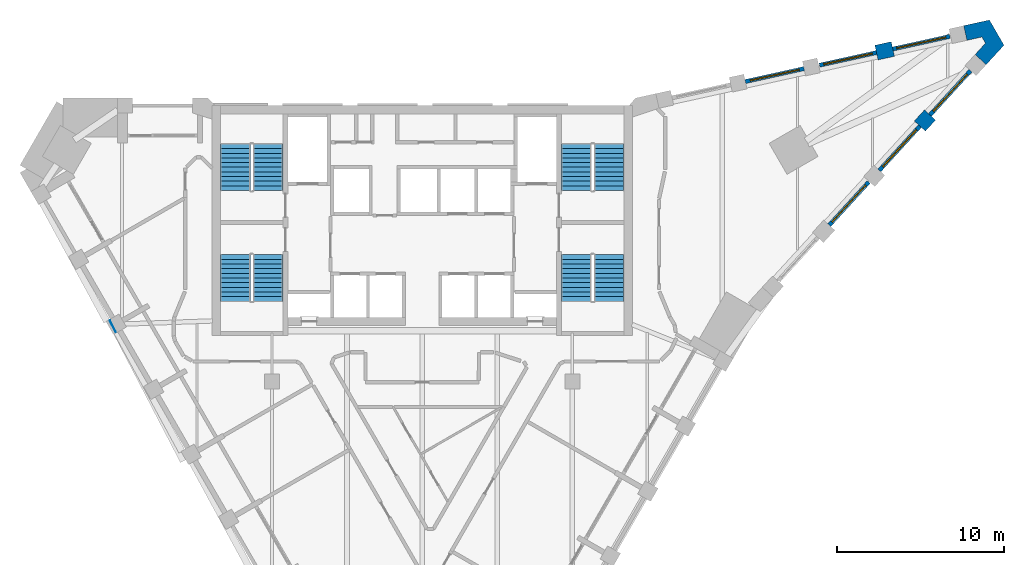
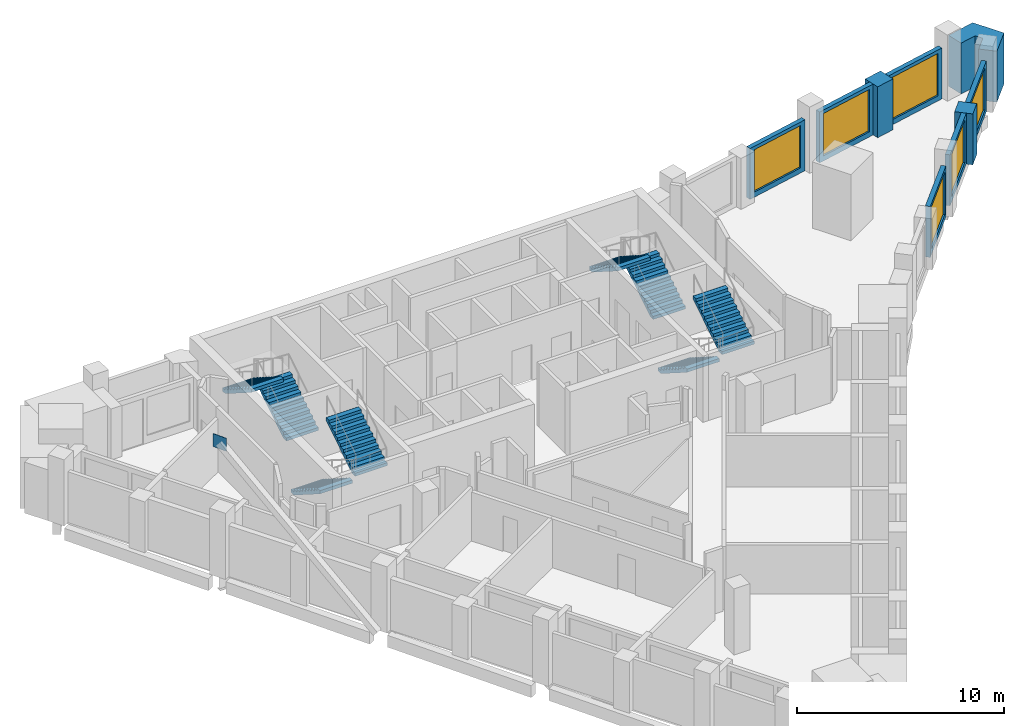
# One storey, part 7 of 8: 9 walls, 8 stair flights, 6 windows, 1 discrete accessory, 6 openings, 4 elements without a shape of their own.
"""IFC4 building model written with IfcOpenShell, lengths in metres."""

from ifc_helpers import new_model, si_unit, direction, frame, frame_2d, origin, origin_2d, place, context, subcontext, project, spatial, polyline, rectangle, outline, extrude, faceted_brep, source, transform, mapped, material, layer, layer_set, type_object, element, fill, aggregate, save


model = new_model("IFC4")

# Units and contexts
model_context = context("Model", 3, precision=1e-05, world=origin(), true_north=direction((0.0, 1.0)))
body_context = subcontext(model_context, "Body", "Model", "MODEL_VIEW")
ifc_project = project(units=[si_unit("LENGTHUNIT", "METRE"), si_unit("AREAUNIT", "SQUARE_METRE"), si_unit("VOLUMEUNIT", "CUBIC_METRE"), si_unit("PLANEANGLEUNIT", "RADIAN"), si_unit("MASSUNIT", "GRAM", prefix="KILO")], contexts=[model_context])

# Site, building, storey
site_placement = place(None, origin())
site = spatial("IfcSite", under=ifc_project, at=site_placement, CompositionType="ELEMENT")
building_placement = place(site_placement, origin())
building = spatial("IfcBuilding", under=site, at=building_placement, Name="Calabash Gate Tower", CompositionType="ELEMENT")
storey_placement = place(building_placement, frame((0.0, 0.0, 271.60009765625)))
storey = spatial("IfcBuildingStorey", under=building, at=storey_placement, Name="L65", CompositionType="ELEMENT", Elevation=271.60009765625)

# Walls
ifc_material_1 = material(Name="Terracotta brick masonry, exposed face", Category="masonry")
ifc_layer_1 = layer(ifc_material_1, 0.89990234375)
ifc_layer_set_1 = layer_set([ifc_layer_1], Name="Brick end wall 900")
wall_type_1 = type_object("IfcWallType", Name="Brick end wall 900", PredefinedType="SOLIDWALL", material=ifc_layer_set_1)
wall_1_placement = place(storey_placement, frame((30.44482421875, 18.47900390625, 0.0), z_axis=(0.0, 0.0, 1.0), x_axis=(-0.674938051731, -0.737874397391, 0.0)))
element("IfcWall", 1, at=wall_1_placement, inside=storey, type_object=wall_type_1, Name="Brick pier S19 wedge3.3", PredefinedType="SOLIDWALL", context=body_context, shape_type="SweptSolid", body=[
    extrude(rectangle(XDim=0.89990234375, YDim=0.89990234375, at=frame_2d((0.449951171875, 0.0))), origin(), (0.0, 0.0, 1.0), 3.0),
])
wall_2_placement = place(storey_placement, frame((28.21728515625, 22.436279296875, 0.0), z_axis=(0.0, 0.0, 1.0), x_axis=(-0.97656888558, -0.215205045752, 0.0)))
element("IfcWall", 2, at=wall_2_placement, inside=storey, type_object=wall_type_1, Name="Brick pier S19 wedge5.1", PredefinedType="SOLIDWALL", context=body_context, shape_type="SweptSolid", body=[
    extrude(rectangle(XDim=1.00390625, YDim=0.89990234375, at=frame_2d((0.501953125, 0.0))), origin(), (0.0, 0.0, 1.0), 3.0),
])
wall_3_placement = place(storey_placement, origin())
element("IfcWall", 3, at=wall_3_placement, inside=storey, type_object=wall_type_1, Name="Brick end wall S19 2", PredefinedType="SOLIDWALL", context=body_context, shape_type="SweptSolid", body=[
    extrude(outline(polyline([(33.813720703125, 21.496337890625), (34.881591796875, 22.663818359375), (34.0087890625, 24.175048828125), (32.4638671875, 23.834228515625), (32.65771484375, 22.955322265625), (33.55908203125, 23.154296875), (33.7724609375, 22.78466796875), (33.149658203125, 22.103759765625), (33.813720703125, 21.496337890625)])), origin(), (0.0, 0.0, 1.0), 3.0),
])

# Wall, opening, window
ifc_material_2 = material(Name="Aluminium framed window wall with insulated spandrel", Category="aluminium")
ifc_layer_2 = layer(ifc_material_2, 0.25)
ifc_layer_set_2 = layer_set([ifc_layer_2], Name="Prow window wall 250")
wall_type_2 = type_object("IfcWallType", Name="Prow window wall 250", PredefinedType="ELEMENTEDWALL", material=ifc_layer_set_2)
wall_4_placement = place(storey_placement, frame((24.40478515625, 11.87451171875, 0.0), z_axis=(0.0, 0.0, 1.0), x_axis=(0.67487449122, 0.737932531537, 0.0)))
wall_4 = element("IfcWall", 4, at=wall_4_placement, inside=storey, type_object=wall_type_2, Name="Prow window wall S19 wedge3.2", PredefinedType="ELEMENTEDWALL", context=body_context, shape_type="SweptSolid", body=[
    extrude(rectangle(XDim=3.5, YDim=0.25, at=frame_2d((1.75, 0.0))), origin(), (0.0, 0.0, 1.0), 3.0),
])
opening_1_placement = place(wall_4_placement, frame((0.25, 0.0, 0.300048828125)))
opening_1 = element("IfcOpeningElement", 5, at=opening_1_placement, cuts=wall_4, Name="Opening WP2", PredefinedType="OPENING", context=body_context, shape_type="SweptSolid", body=[
    extrude(rectangle(XDim=3.0, YDim=2.5, at=frame_2d((1.5, 1.25))), frame((0.0, 0.135009765625, 0.0), z_axis=(0.0, -1.0, 0.0), x_axis=(1.0, 0.0, 0.0)), (0.0, 0.0, 1.0), 0.27001953125),
])
ifc_material_3 = material(Name="Anodised aluminium frame, bronze finish, impact-rated laminated clear glazing", Category="aluminium")
window_type = type_object("IfcWindowType", Name="Window WP2 3000x2500", PartitioningType="DOUBLE_PANEL_VERTICAL", PredefinedType="WINDOW", material=ifc_material_3)
window_1_placement = place(opening_1_placement, origin())
window_1 = element("IfcWindow", 6, at=window_1_placement, inside=storey, type_object=window_type, Name="Prow window WP2 S19 wedge3.2", OverallHeight=2.5, OverallWidth=3.0, PartitioningType="SINGLE_PANEL", PredefinedType="WINDOW", context=body_context, shape_type="SweptSolid", body=[
    extrude(rectangle(XDim=3.0, YDim=2.5, at=frame_2d((1.5, 1.25))), frame((0.0, 0.030029296875, 0.0), z_axis=(0.0, -1.0, 0.0), x_axis=(1.0, 0.0, 0.0)), (0.0, 0.0, 1.0), 0.06005859375),
])
fill(opening_1, window_1)

wall_5_placement = place(storey_placement, frame((27.407958984375, 15.158203125, 0.0), z_axis=(0.0, 0.0, 1.0), x_axis=(0.674833575111, 0.737969949187, 0.0)))
wall_5 = element("IfcWall", 7, at=wall_5_placement, inside=storey, type_object=wall_type_2, Name="Prow window wall S19 wedge3.3", PredefinedType="ELEMENTEDWALL", context=body_context, shape_type="SweptSolid", body=[
    extrude(rectangle(XDim=3.60009765625, YDim=0.25, at=frame_2d((1.800048828125, 0.0))), origin(), (0.0, 0.0, 1.0), 3.0),
])
opening_2_placement = place(wall_5_placement, frame((0.300048828125, 0.0, 0.300048828125)))
opening_2 = element("IfcOpeningElement", 8, at=opening_2_placement, cuts=wall_5, Name="Opening WP2", PredefinedType="OPENING", context=body_context, shape_type="SweptSolid", body=[
    extrude(rectangle(XDim=3.0, YDim=2.5, at=frame_2d((1.5, 1.25))), frame((0.0, 0.135009765625, 0.0), z_axis=(0.0, -1.0, 0.0), x_axis=(1.0, 0.0, 0.0)), (0.0, 0.0, 1.0), 0.27001953125),
])
window_2_placement = place(opening_2_placement, origin())
window_2 = element("IfcWindow", 9, at=window_2_placement, inside=storey, type_object=window_type, Name="Prow window WP2 S19 wedge3.3", OverallHeight=2.5, OverallWidth=3.0, PartitioningType="SINGLE_PANEL", PredefinedType="WINDOW", context=body_context, shape_type="SweptSolid", body=[
    extrude(rectangle(XDim=3.0, YDim=2.5, at=frame_2d((1.5, 1.25))), frame((0.0, 0.030029296875, 0.0), z_axis=(0.0, -1.0, 0.0), x_axis=(1.0, 0.0, 0.0)), (0.0, 0.0, 1.0), 0.06005859375),
])
fill(opening_2, window_2)

wall_6_placement = place(storey_placement, frame((30.44482421875, 18.47900390625, 0.0), z_axis=(0.0, 0.0, 1.0), x_axis=(0.674833575111, 0.737969949187, 0.0)))
wall_6 = element("IfcWall", 10, at=wall_6_placement, inside=storey, type_object=wall_type_2, Name="Prow window wall S19 wedge3.4", PredefinedType="ELEMENTEDWALL", context=body_context, shape_type="SweptSolid", body=[
    extrude(rectangle(XDim=3.60009765625, YDim=0.25, at=frame_2d((1.800048828125, 0.0))), origin(), (0.0, 0.0, 1.0), 3.0),
])
opening_3_placement = place(wall_6_placement, frame((0.300048828125, 0.0, 0.300048828125)))
opening_3 = element("IfcOpeningElement", 11, at=opening_3_placement, cuts=wall_6, Name="Opening WP2", PredefinedType="OPENING", context=body_context, shape_type="SweptSolid", body=[
    extrude(rectangle(XDim=3.0, YDim=2.5, at=frame_2d((1.5, 1.25))), frame((0.0, 0.135009765625, 0.0), z_axis=(0.0, -1.0, 0.0), x_axis=(1.0, 0.0, 0.0)), (0.0, 0.0, 1.0), 0.27001953125),
])
window_3_placement = place(opening_3_placement, origin())
window_3 = element("IfcWindow", 12, at=window_3_placement, inside=storey, type_object=window_type, Name="Prow window WP2 S19 wedge3.4", OverallHeight=2.5, OverallWidth=3.0, PartitioningType="SINGLE_PANEL", PredefinedType="WINDOW", context=body_context, shape_type="SweptSolid", body=[
    extrude(rectangle(XDim=3.0, YDim=2.5, at=frame_2d((1.5, 1.25))), frame((0.0, 0.030029296875, 0.0), z_axis=(0.0, -1.0, 0.0), x_axis=(1.0, 0.0, 0.0)), (0.0, 0.0, 1.0), 0.06005859375),
])
fill(opening_3, window_3)

wall_7_placement = place(storey_placement, frame((31.633056640625, 23.190185546875, 0.0), z_axis=(0.0, 0.0, 1.0), x_axis=(-0.976509313763, -0.215475196101, 0.0)))
wall_7 = element("IfcWall", 13, at=wall_7_placement, inside=storey, type_object=wall_type_2, Name="Prow window wall S19 wedge5.1", PredefinedType="ELEMENTEDWALL", context=body_context, shape_type="SweptSolid", body=[
    extrude(rectangle(XDim=3.5, YDim=0.25, at=frame_2d((1.75, 0.0))), origin(), (0.0, 0.0, 1.0), 3.0),
])
opening_4_placement = place(wall_7_placement, frame((0.25, 0.0, 0.300048828125)))
opening_4 = element("IfcOpeningElement", 14, at=opening_4_placement, cuts=wall_7, Name="Opening WP2", PredefinedType="OPENING", context=body_context, shape_type="SweptSolid", body=[
    extrude(rectangle(XDim=3.0, YDim=2.5, at=frame_2d((1.5, 1.25))), frame((0.0, 0.135009765625, 0.0), z_axis=(0.0, -1.0, 0.0), x_axis=(1.0, 0.0, 0.0)), (0.0, 0.0, 1.0), 0.27001953125),
])
window_4_placement = place(opening_4_placement, origin())
window_4 = element("IfcWindow", 15, at=window_4_placement, inside=storey, type_object=window_type, Name="Prow window WP2 S19 wedge5.1", OverallHeight=2.5, OverallWidth=3.0, PartitioningType="SINGLE_PANEL", PredefinedType="WINDOW", context=body_context, shape_type="SweptSolid", body=[
    extrude(rectangle(XDim=3.0, YDim=2.5, at=frame_2d((1.5, 1.25))), frame((0.0, 0.030029296875, 0.0), z_axis=(0.0, -1.0, 0.0), x_axis=(1.0, 0.0, 0.0)), (0.0, 0.0, 1.0), 0.06005859375),
])
fill(opening_4, window_4)

wall_8_placement = place(storey_placement, frame((27.23876953125, 22.220458984375, 0.0), z_axis=(0.0, 0.0, 1.0), x_axis=(-0.976509313763, -0.215475196101, 0.0)))
wall_8 = element("IfcWall", 16, at=wall_8_placement, inside=storey, type_object=wall_type_2, Name="Prow window wall S19 wedge5.2", PredefinedType="ELEMENTEDWALL", context=body_context, shape_type="SweptSolid", body=[
    extrude(rectangle(XDim=3.5, YDim=0.25, at=frame_2d((1.75, 0.0))), origin(), (0.0, 0.0, 1.0), 3.0),
])
opening_5_placement = place(wall_8_placement, frame((0.25, 0.0, 0.300048828125)))
opening_5 = element("IfcOpeningElement", 17, at=opening_5_placement, cuts=wall_8, Name="Opening WP2", PredefinedType="OPENING", context=body_context, shape_type="SweptSolid", body=[
    extrude(rectangle(XDim=3.0, YDim=2.5, at=frame_2d((1.5, 1.25))), frame((0.0, 0.135009765625, 0.0), z_axis=(0.0, -1.0, 0.0), x_axis=(1.0, 0.0, 0.0)), (0.0, 0.0, 1.0), 0.27001953125),
])
window_5_placement = place(opening_5_placement, origin())
window_5 = element("IfcWindow", 18, at=window_5_placement, inside=storey, type_object=window_type, Name="Prow window WP2 S19 wedge5.2", OverallHeight=2.5, OverallWidth=3.0, PartitioningType="SINGLE_PANEL", PredefinedType="WINDOW", context=body_context, shape_type="SweptSolid", body=[
    extrude(rectangle(XDim=3.0, YDim=2.5, at=frame_2d((1.5, 1.25))), frame((0.0, 0.030029296875, 0.0), z_axis=(0.0, -1.0, 0.0), x_axis=(1.0, 0.0, 0.0)), (0.0, 0.0, 1.0), 0.06005859375),
])
fill(opening_5, window_5)

wall_9_placement = place(storey_placement, frame((22.893310546875, 21.26171875, 0.0), z_axis=(0.0, 0.0, 1.0), x_axis=(-0.976513072969, -0.215458159096, 0.0)))
wall_9 = element("IfcWall", 19, at=wall_9_placement, inside=storey, type_object=wall_type_2, Name="Prow window wall S19 wedge5.3", PredefinedType="ELEMENTEDWALL", context=body_context, shape_type="SweptSolid", body=[
    extrude(rectangle(XDim=3.599853515625, YDim=0.25, at=frame_2d((1.7998046875, 0.0))), origin(), (0.0, 0.0, 1.0), 3.0),
])
opening_6_placement = place(wall_9_placement, frame((0.300048828125, 0.0, 0.300048828125)))
opening_6 = element("IfcOpeningElement", 20, at=opening_6_placement, cuts=wall_9, Name="Opening WP2", PredefinedType="OPENING", context=body_context, shape_type="SweptSolid", body=[
    extrude(rectangle(XDim=3.0, YDim=2.5, at=frame_2d((1.5, 1.25))), frame((0.0, 0.135009765625, 0.0), z_axis=(0.0, -1.0, 0.0), x_axis=(1.0, 0.0, 0.0)), (0.0, 0.0, 1.0), 0.27001953125),
])
window_6_placement = place(opening_6_placement, origin())
window_6 = element("IfcWindow", 21, at=window_6_placement, inside=storey, type_object=window_type, Name="Prow window WP2 S19 wedge5.3", OverallHeight=2.5, OverallWidth=3.0, PartitioningType="SINGLE_PANEL", PredefinedType="WINDOW", context=body_context, shape_type="SweptSolid", body=[
    extrude(rectangle(XDim=3.0, YDim=2.5, at=frame_2d((1.5, 1.25))), frame((0.0, 0.030029296875, 0.0), z_axis=(0.0, -1.0, 0.0), x_axis=(1.0, 0.0, 0.0)), (0.0, 0.0, 1.0), 0.06005859375),
])
fill(opening_6, window_6)

# Stair, stair flights
ifc_material_4 = material(Name="Concrete C40/50", Category="concrete")
stair_type = type_object("IfcStairType", Name="Exit stair 22 risers of 177.3 mm", PredefinedType="HALF_TURN_STAIR", material=ifc_material_4)
stair_1_placement = place(storey_placement, origin())
stair_1 = element("IfcStair", 22, at=stair_1_placement, inside=storey, type_object=stair_type, Name="L65 Exit stair ST1", PredefinedType="HALF_TURN_STAIR")
ifc_material_5 = material(Name="Concrete C40/50", Category="concrete")
stair_flight_type = type_object("IfcStairFlightType", Name="Exit stair flight SFL", PredefinedType="STRAIGHT", material=ifc_material_5)
shared_shape = source(origin(), body_context, "Body", "Brep", [
    faceted_brep([(-0.0009765625, -0.89990234375, 0.0), (0.279541015625, -0.89990234375, 0.0), (2.791015625, -0.89990234375, 1.59521484375), (-0.0009765625, 0.89990234375, 0.0), (2.791015625, 0.89990234375, 1.59521484375), (0.279541015625, 0.89990234375, 0.0), (2.791015625, -0.89990234375, 1.78466796875), (2.7900390625, -0.89990234375, 1.78466796875), (2.7900390625, 0.89990234375, 1.78466796875), (2.791015625, 0.89990234375, 1.78466796875), (2.7900390625, -0.89990234375, 1.772705078125), (2.7900390625, 0.89990234375, 1.772705078125), (2.510986328125, -0.89990234375, 1.772705078125), (2.510986328125, 0.89990234375, 1.772705078125), (2.510986328125, -0.89990234375, 1.595458984375), (2.510986328125, 0.89990234375, 1.595458984375), (2.23193359375, -0.89990234375, 1.595458984375), (2.23193359375, 0.89990234375, 1.595458984375), (2.23193359375, -0.89990234375, 1.418212890625), (2.23193359375, 0.89990234375, 1.418212890625), (1.952880859375, -0.89990234375, 1.418212890625), (1.952880859375, -0.89990234375, 1.240966796875), (1.952880859375, 0.89990234375, 1.240966796875), (1.952880859375, 0.89990234375, 1.418212890625), (1.674072265625, -0.89990234375, 1.240966796875), (1.674072265625, -0.89990234375, 1.063720703125), (1.674072265625, 0.89990234375, 1.063720703125), (1.674072265625, 0.89990234375, 1.240966796875), (1.39501953125, -0.89990234375, 1.063720703125), (1.39501953125, -0.89990234375, 0.886474609375), (1.39501953125, 0.89990234375, 0.886474609375), (1.39501953125, 0.89990234375, 1.063720703125), (1.115966796875, -0.89990234375, 0.886474609375), (1.115966796875, -0.89990234375, 0.708984375), (1.115966796875, 0.89990234375, 0.708984375), (1.115966796875, 0.89990234375, 0.886474609375), (0.8369140625, -0.89990234375, 0.708984375), (0.8369140625, -0.89990234375, 0.53173828125), (0.8369140625, 0.89990234375, 0.53173828125), (0.8369140625, 0.89990234375, 0.708984375), (0.55810546875, -0.89990234375, 0.53173828125), (0.55810546875, -0.89990234375, 0.3544921875), (0.55810546875, 0.89990234375, 0.3544921875), (0.55810546875, 0.89990234375, 0.53173828125), (0.279052734375, -0.89990234375, 0.3544921875), (0.279052734375, -0.89990234375, 0.17724609375), (0.279052734375, 0.89990234375, 0.17724609375), (0.279052734375, 0.89990234375, 0.3544921875), (-0.0009765625, -0.89990234375, 0.17724609375), (-0.0009765625, 0.89990234375, 0.17724609375), (0.279541015625, -0.360107421875, 0.0), (2.791015625, -0.360107421875, 1.59521484375), (0.279541015625, 0.0, 0.0), (2.791015625, 0.0, 1.59521484375), (0.279541015625, 0.360107421875, 0.0), (2.791015625, 0.360107421875, 1.59521484375), (2.791015625, -0.360107421875, 1.78466796875), (2.791015625, 0.0, 1.78466796875), (2.791015625, 0.360107421875, 1.78466796875), (2.7900390625, -0.360107421875, 1.78466796875), (2.7900390625, 0.0, 1.78466796875), (2.7900390625, 0.360107421875, 1.78466796875), (2.7900390625, -0.360107421875, 1.772705078125), (2.7900390625, 0.0, 1.772705078125), (2.7900390625, 0.360107421875, 1.772705078125), (2.510986328125, -0.360107421875, 1.772705078125), (2.510986328125, 0.0, 1.772705078125), (2.510986328125, 0.360107421875, 1.772705078125), (2.510986328125, -0.360107421875, 1.595458984375), (2.510986328125, 0.0, 1.595458984375), (2.510986328125, 0.360107421875, 1.595458984375), (2.23193359375, -0.360107421875, 1.595458984375), (2.23193359375, 0.0, 1.595458984375), (2.23193359375, 0.360107421875, 1.595458984375), (2.23193359375, -0.360107421875, 1.418212890625), (2.23193359375, 0.0, 1.418212890625), (2.23193359375, 0.360107421875, 1.418212890625), (1.952880859375, -0.360107421875, 1.418212890625), (1.952880859375, 0.0, 1.418212890625), (1.952880859375, 0.360107421875, 1.418212890625), (1.952880859375, -0.360107421875, 1.240966796875), (1.952880859375, 0.0, 1.240966796875), (1.952880859375, 0.360107421875, 1.240966796875), (1.674072265625, -0.360107421875, 1.240966796875), (1.674072265625, 0.0, 1.240966796875), (1.674072265625, 0.360107421875, 1.240966796875), (1.674072265625, -0.360107421875, 1.063720703125), (1.674072265625, 0.0, 1.063720703125), (1.674072265625, 0.360107421875, 1.063720703125), (1.39501953125, -0.360107421875, 1.063720703125), (1.39501953125, 0.0, 1.063720703125), (1.39501953125, 0.360107421875, 1.063720703125), (1.39501953125, -0.360107421875, 0.886474609375), (1.39501953125, 0.0, 0.886474609375), (1.39501953125, 0.360107421875, 0.886474609375), (1.115966796875, -0.360107421875, 0.886474609375), (1.115966796875, 0.0, 0.886474609375), (1.115966796875, 0.360107421875, 0.886474609375), (1.115966796875, -0.360107421875, 0.708984375), (1.115966796875, 0.0, 0.708984375), (1.115966796875, 0.360107421875, 0.708984375), (0.8369140625, -0.360107421875, 0.708984375), (0.8369140625, 0.0, 0.708984375), (0.8369140625, 0.360107421875, 0.708984375), (0.8369140625, -0.360107421875, 0.53173828125), (0.8369140625, 0.0, 0.53173828125), (0.8369140625, 0.360107421875, 0.53173828125), (0.55810546875, -0.360107421875, 0.53173828125), (0.55810546875, 0.0, 0.53173828125), (0.55810546875, 0.360107421875, 0.53173828125), (0.55810546875, -0.360107421875, 0.3544921875), (0.55810546875, 0.0, 0.3544921875), (0.55810546875, 0.360107421875, 0.3544921875), (0.279052734375, -0.360107421875, 0.3544921875), (0.279052734375, 0.0, 0.3544921875), (0.279052734375, 0.360107421875, 0.3544921875), (0.279052734375, -0.360107421875, 0.17724609375), (0.279052734375, 0.0, 0.17724609375), (0.279052734375, 0.360107421875, 0.17724609375), (-0.0009765625, -0.360107421875, 0.17724609375), (-0.0009765625, 0.0, 0.17724609375), (-0.0009765625, 0.360107421875, 0.17724609375), (-0.0009765625, -0.360107421875, 0.0), (-0.0009765625, 0.0, 0.0), (-0.0009765625, 0.360107421875, 0.0)], [[[0, 1, 2]], [[3, 4, 5]], [[2, 6, 7]], [[4, 8, 9]], [[2, 7, 10]], [[4, 11, 8]], [[2, 10, 12]], [[4, 13, 11]], [[2, 12, 14]], [[4, 15, 13]], [[2, 14, 16]], [[4, 17, 15]], [[2, 16, 18]], [[4, 19, 17]], [[18, 20, 21]], [[19, 22, 23]], [[2, 18, 21]], [[4, 22, 19]], [[21, 24, 25]], [[22, 26, 27]], [[2, 21, 25]], [[4, 26, 22]], [[25, 28, 29]], [[26, 30, 31]], [[2, 25, 29]], [[4, 30, 26]], [[29, 32, 33]], [[30, 34, 35]], [[2, 29, 33]], [[4, 34, 30]], [[33, 36, 37]], [[34, 38, 39]], [[2, 33, 37]], [[4, 38, 34]], [[37, 40, 41]], [[38, 42, 43]], [[2, 37, 41]], [[4, 42, 38]], [[41, 44, 45]], [[42, 46, 47]], [[2, 41, 45]], [[4, 46, 42]], [[0, 2, 45]], [[3, 46, 4]], [[45, 48, 0]], [[46, 3, 49]], [[1, 50, 2]], [[50, 51, 2]], [[50, 52, 51]], [[52, 53, 51]], [[52, 54, 55]], [[52, 55, 53]], [[54, 5, 4]], [[54, 4, 55]], [[2, 51, 6]], [[51, 56, 6]], [[51, 53, 56]], [[53, 57, 56]], [[53, 55, 58]], [[53, 58, 57]], [[55, 4, 9]], [[55, 9, 58]], [[6, 56, 7]], [[56, 59, 7]], [[56, 57, 59]], [[57, 60, 59]], [[57, 58, 61]], [[57, 61, 60]], [[58, 9, 8]], [[58, 8, 61]], [[7, 59, 10]], [[59, 62, 10]], [[59, 60, 62]], [[60, 63, 62]], [[60, 61, 64]], [[60, 64, 63]], [[61, 8, 11]], [[61, 11, 64]], [[10, 62, 12]], [[62, 65, 12]], [[62, 63, 65]], [[63, 66, 65]], [[63, 64, 67]], [[63, 67, 66]], [[64, 11, 13]], [[64, 13, 67]], [[12, 65, 14]], [[65, 68, 14]], [[65, 66, 68]], [[66, 69, 68]], [[66, 67, 70]], [[66, 70, 69]], [[67, 13, 15]], [[67, 15, 70]], [[14, 68, 16]], [[68, 71, 16]], [[68, 69, 71]], [[69, 72, 71]], [[69, 70, 73]], [[69, 73, 72]], [[70, 15, 17]], [[70, 17, 73]], [[16, 71, 18]], [[71, 74, 18]], [[71, 72, 74]], [[72, 75, 74]], [[72, 73, 76]], [[72, 76, 75]], [[73, 17, 19]], [[73, 19, 76]], [[18, 74, 20]], [[74, 77, 20]], [[74, 75, 77]], [[75, 78, 77]], [[75, 76, 79]], [[75, 79, 78]], [[76, 19, 23]], [[76, 23, 79]], [[20, 77, 21]], [[77, 80, 21]], [[77, 78, 80]], [[78, 81, 80]], [[78, 79, 82]], [[78, 82, 81]], [[79, 23, 22]], [[79, 22, 82]], [[21, 80, 24]], [[80, 83, 24]], [[80, 81, 83]], [[81, 84, 83]], [[81, 82, 85]], [[81, 85, 84]], [[82, 22, 27]], [[82, 27, 85]], [[24, 83, 25]], [[83, 86, 25]], [[83, 84, 86]], [[84, 87, 86]], [[84, 85, 88]], [[84, 88, 87]], [[85, 27, 26]], [[85, 26, 88]], [[25, 86, 28]], [[86, 89, 28]], [[86, 87, 89]], [[87, 90, 89]], [[87, 88, 91]], [[87, 91, 90]], [[88, 26, 31]], [[88, 31, 91]], [[28, 89, 29]], [[89, 92, 29]], [[89, 90, 92]], [[90, 93, 92]], [[90, 91, 94]], [[90, 94, 93]], [[91, 31, 30]], [[91, 30, 94]], [[29, 92, 32]], [[92, 95, 32]], [[92, 93, 95]], [[93, 96, 95]], [[93, 94, 97]], [[93, 97, 96]], [[94, 30, 35]], [[94, 35, 97]], [[32, 95, 33]], [[95, 98, 33]], [[95, 96, 98]], [[96, 99, 98]], [[96, 97, 100]], [[96, 100, 99]], [[97, 35, 34]], [[97, 34, 100]], [[33, 98, 36]], [[98, 101, 36]], [[98, 99, 101]], [[99, 102, 101]], [[99, 100, 103]], [[99, 103, 102]], [[100, 34, 39]], [[100, 39, 103]], [[36, 101, 37]], [[101, 104, 37]], [[101, 102, 104]], [[102, 105, 104]], [[102, 103, 106]], [[102, 106, 105]], [[103, 39, 38]], [[103, 38, 106]], [[37, 104, 40]], [[104, 107, 40]], [[104, 105, 107]], [[105, 108, 107]], [[105, 106, 109]], [[105, 109, 108]], [[106, 38, 43]], [[106, 43, 109]], [[40, 107, 41]], [[107, 110, 41]], [[107, 108, 110]], [[108, 111, 110]], [[108, 109, 112]], [[108, 112, 111]], [[109, 43, 42]], [[109, 42, 112]], [[41, 110, 44]], [[110, 113, 44]], [[110, 111, 113]], [[111, 114, 113]], [[111, 112, 115]], [[111, 115, 114]], [[112, 42, 47]], [[112, 47, 115]], [[44, 113, 45]], [[113, 116, 45]], [[113, 114, 116]], [[114, 117, 116]], [[114, 115, 118]], [[114, 118, 117]], [[115, 47, 46]], [[115, 46, 118]], [[45, 116, 48]], [[116, 119, 48]], [[116, 117, 119]], [[117, 120, 119]], [[117, 118, 121]], [[117, 121, 120]], [[118, 46, 49]], [[118, 49, 121]], [[48, 119, 0]], [[119, 122, 0]], [[119, 120, 122]], [[120, 123, 122]], [[120, 121, 124]], [[120, 124, 123]], [[121, 49, 3]], [[121, 3, 124]], [[0, 122, 1]], [[122, 50, 1]], [[122, 123, 50]], [[123, 52, 50]], [[123, 124, 54]], [[123, 54, 52]], [[124, 3, 5]], [[124, 5, 54]]]),
])
stair_flight_1_placement = place(storey_placement, frame((-9.25, 13.95263671875, 0.0), z_axis=(0.0, 0.0, 1.0), x_axis=(0.0, 1.0, 0.0)))
stair_flight_1 = element("IfcStairFlight", 23, at=stair_flight_1_placement, type_object=stair_flight_type, Name="ST1 flight 1", NumberOfRisers=11, NumberOfTreads=10, PredefinedType="STRAIGHT", RiserHeight=0.177272727, TreadLength=0.279, context=body_context, shape_type="MappedRepresentation", body=[
    mapped(shared_shape, transform((0.0, 0.0, 0.0), scale=1.0)),
])
stair_flight_2_placement = place(storey_placement, frame((-11.199951171875, 16.74267578125, 1.949951171875), z_axis=(0.0, 0.0, 1.0), x_axis=(0.0, -1.0, 0.0)))
stair_flight_2 = element("IfcStairFlight", 24, at=stair_flight_2_placement, type_object=stair_flight_type, Name="ST1 flight 2", NumberOfRisers=11, NumberOfTreads=10, PredefinedType="STRAIGHT", RiserHeight=0.177272727, TreadLength=0.279, context=body_context, shape_type="MappedRepresentation", body=[
    mapped(shared_shape, transform((0.0, 0.0, 0.0), scale=1.0)),
])
aggregate(stair_1, [stair_flight_1, stair_flight_2])

stair_2_placement = place(storey_placement, origin())
stair_2 = element("IfcStair", 25, at=stair_2_placement, inside=storey, type_object=stair_type, Name="L65 Exit stair ST2", PredefinedType="HALF_TURN_STAIR")
stair_flight_3_placement = place(storey_placement, frame((-11.199951171875, 10.1025390625, 0.0), z_axis=(0.0, 0.0, 1.0), x_axis=(0.0, -1.0, 0.0)))
stair_flight_3 = element("IfcStairFlight", 26, at=stair_flight_3_placement, type_object=stair_flight_type, Name="ST2 flight 1", NumberOfRisers=11, NumberOfTreads=10, PredefinedType="STRAIGHT", RiserHeight=0.177272727, TreadLength=0.279, context=body_context, shape_type="MappedRepresentation", body=[
    mapped(shared_shape, transform((0.0, 0.0, 0.0), scale=1.0)),
])
stair_flight_4_placement = place(storey_placement, frame((-9.25, 7.3125, 1.949951171875), z_axis=(0.0, 0.0, 1.0), x_axis=(0.0, 1.0, 0.0)))
stair_flight_4 = element("IfcStairFlight", 27, at=stair_flight_4_placement, type_object=stair_flight_type, Name="ST2 flight 2", NumberOfRisers=11, NumberOfTreads=10, PredefinedType="STRAIGHT", RiserHeight=0.177272727, TreadLength=0.279, context=body_context, shape_type="MappedRepresentation", body=[
    mapped(shared_shape, transform((0.0, 0.0, 0.0), scale=1.0)),
])
aggregate(stair_2, [stair_flight_3, stair_flight_4])

stair_3_placement = place(storey_placement, origin())
stair_3 = element("IfcStair", 28, at=stair_3_placement, inside=storey, type_object=stair_type, Name="L65 Exit stair ST3", PredefinedType="HALF_TURN_STAIR")
stair_flight_5_placement = place(storey_placement, frame((11.199951171875, 13.95263671875, 0.0), z_axis=(0.0, 0.0, 1.0), x_axis=(0.0, 1.0, 0.0)))
stair_flight_5 = element("IfcStairFlight", 29, at=stair_flight_5_placement, type_object=stair_flight_type, Name="ST3 flight 1", NumberOfRisers=11, NumberOfTreads=10, PredefinedType="STRAIGHT", RiserHeight=0.177272727, TreadLength=0.279, context=body_context, shape_type="MappedRepresentation", body=[
    mapped(shared_shape, transform((0.0, 0.0, 0.0), scale=1.0)),
])
stair_flight_6_placement = place(storey_placement, frame((9.25, 16.74267578125, 1.949951171875), z_axis=(0.0, 0.0, 1.0), x_axis=(0.0, -1.0, 0.0)))
stair_flight_6 = element("IfcStairFlight", 30, at=stair_flight_6_placement, type_object=stair_flight_type, Name="ST3 flight 2", NumberOfRisers=11, NumberOfTreads=10, PredefinedType="STRAIGHT", RiserHeight=0.177272727, TreadLength=0.279, context=body_context, shape_type="MappedRepresentation", body=[
    mapped(shared_shape, transform((0.0, 0.0, 0.0), scale=1.0)),
])
aggregate(stair_3, [stair_flight_5, stair_flight_6])

stair_4_placement = place(storey_placement, origin())
stair_4 = element("IfcStair", 31, at=stair_4_placement, inside=storey, type_object=stair_type, Name="L65 Exit stair ST4", PredefinedType="HALF_TURN_STAIR")
stair_flight_7_placement = place(storey_placement, frame((9.25, 10.1025390625, 0.0), z_axis=(0.0, 0.0, 1.0), x_axis=(0.0, -1.0, 0.0)))
stair_flight_7 = element("IfcStairFlight", 32, at=stair_flight_7_placement, type_object=stair_flight_type, Name="ST4 flight 1", NumberOfRisers=11, NumberOfTreads=10, PredefinedType="STRAIGHT", RiserHeight=0.177272727, TreadLength=0.279, context=body_context, shape_type="MappedRepresentation", body=[
    mapped(shared_shape, transform((0.0, 0.0, 0.0), scale=1.0)),
])
stair_flight_8_placement = place(storey_placement, frame((11.199951171875, 7.3125, 1.949951171875), z_axis=(0.0, 0.0, 1.0), x_axis=(0.0, 1.0, 0.0)))
stair_flight_8 = element("IfcStairFlight", 33, at=stair_flight_8_placement, type_object=stair_flight_type, Name="ST4 flight 2", NumberOfRisers=11, NumberOfTreads=10, PredefinedType="STRAIGHT", RiserHeight=0.177272727, TreadLength=0.279, context=body_context, shape_type="MappedRepresentation", body=[
    mapped(shared_shape, transform((0.0, 0.0, 0.0), scale=1.0)),
])
aggregate(stair_4, [stair_flight_7, stair_flight_8])

# Discrete accessory
ifc_material_6 = material(Name="Steel ASTM A572 Gr50", Category="steel")
discrete_accessory_type = type_object("IfcDiscreteAccessoryType", Name="Connection plate 25", PredefinedType="BRACKET", material=ifc_material_6)
discrete_accessory_placement = place(storey_placement, frame((-18.5478515625, 5.814453125, 7.415283203125), z_axis=(0.0, 0.0, 1.0), x_axis=(-0.461533952054, 0.887122545707, 0.0)))
element("IfcDiscreteAccessory", 34, at=discrete_accessory_placement, inside=storey, type_object=discrete_accessory_type, Name="Connection plate Mega-brace SW Z5 40 end", PredefinedType="BRACKET", context=body_context, shape_type="SweptSolid", body=[
    extrude(rectangle(XDim=0.76904296875, YDim=0.02490234375, at=origin_2d()), origin(), (0.0, 0.0, 1.0), 0.76904296875),
])

save(model, "model.ifc")
